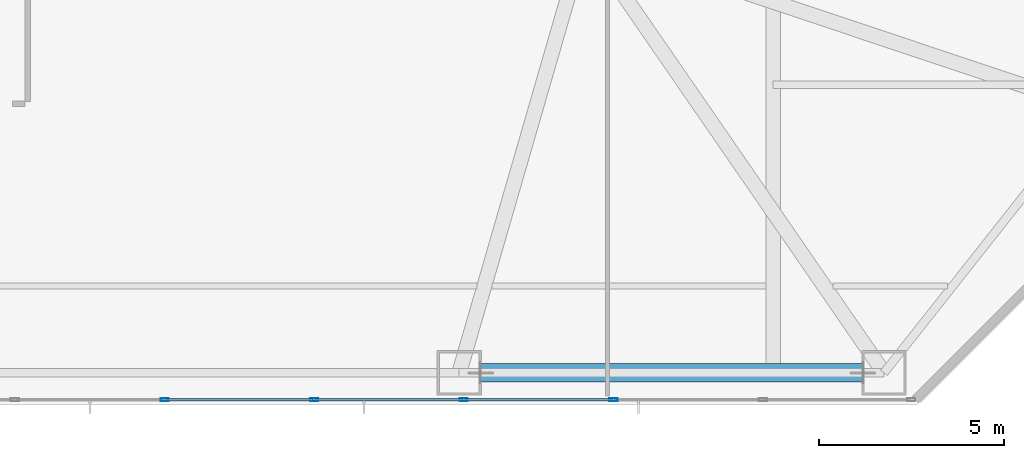
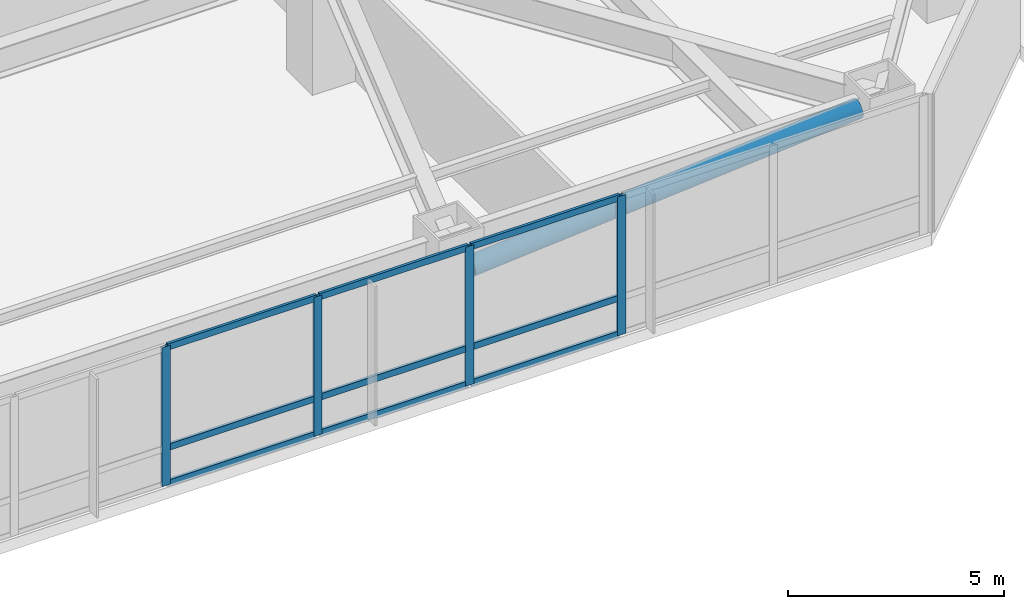
# One storey, part 6 of 32: 14 members, 1 element without a shape of its own.
"""IFC4 building model written with IfcOpenShell, lengths in metres."""

from ifc_helpers import new_model, si_unit, direction, frame, origin, origin_2d, place, context, subcontext, project, spatial, hollow_rectangle, hollow_circle, extrude, material, material_profile, profile_set, type_object, element, aggregate, save


model = new_model("IFC4")

# Units and contexts
model_context = context("Model", 3, precision=1e-05, world=origin(), true_north=direction((0.0, 1.0)))
body_context = subcontext(model_context, "Body", "Model", "MODEL_VIEW")
ifc_project = project(units=[si_unit("LENGTHUNIT", "METRE"), si_unit("AREAUNIT", "SQUARE_METRE"), si_unit("VOLUMEUNIT", "CUBIC_METRE"), si_unit("PLANEANGLEUNIT", "RADIAN"), si_unit("MASSUNIT", "GRAM", prefix="KILO")], contexts=[model_context])

# Site, building, storey
site_placement = place(None, origin())
site = spatial("IfcSite", under=ifc_project, at=site_placement, CompositionType="ELEMENT")
building_placement = place(site_placement, origin())
building = spatial("IfcBuilding", under=site, at=building_placement, Name="Khamvora Tower", CompositionType="ELEMENT")
storey_placement = place(building_placement, frame((0.0, 0.0, 12.0)))
storey = spatial("IfcBuildingStorey", under=building, at=storey_placement, Name="L02", CompositionType="ELEMENT", Elevation=12.0)

# Curtain wall, members
ifc_material_1 = material(Name="Anodised Aluminium 6063-T6", Category="aluminium")
curtain_wall_type = type_object("IfcCurtainWallType", Name="CW-SYS-01", PredefinedType="NOTDEFINED", material=ifc_material_1)
curtain_wall_placement = place(storey_placement, origin())
curtain_wall = element("IfcCurtainWall", 1, at=curtain_wall_placement, inside=storey, type_object=curtain_wall_type, Name="L02 stick curtain wall 14.1", PredefinedType="NOTDEFINED")
ifc_material_profile_1 = material_profile(ifc_material_1, hollow_rectangle(XDim=0.074951171875, YDim=0.219970703125, WallThickness=0.0048828125, at=origin_2d()), Name="MUL75x220x5")
ifc_profile_set_1 = profile_set([ifc_material_profile_1], Name="Anodised Aluminium 6063-T6")
member_type_1 = type_object("IfcMemberType", Name="CW-SYS-01-MUL", PredefinedType="MULLION", material=ifc_profile_set_1)
member_1_placement = place(storey_placement, frame((42.175048828125, 0.1201171875, 0.0), z_axis=(0.0, 0.0, 1.0), x_axis=(0.0, -1.0, 0.0)))
member_1 = element("IfcMember", 2, at=member_1_placement, type_object=member_type_1, Name="CW-01 mullion 3", PredefinedType="MULLION", context=body_context, shape_type="SweptSolid", body=[
    extrude(hollow_rectangle(XDim=0.074951171875, YDim=0.219970703125, WallThickness=0.0048828125, at=origin_2d()), origin(), (0.0, 0.0, 1.0), 3.919921875),
])
member_2_placement = place(storey_placement, frame((38.125, 0.1201171875, 0.0), z_axis=(0.0, 0.0, 1.0), x_axis=(0.0, -1.0, 0.0)))
member_2 = element("IfcMember", 3, at=member_2_placement, type_object=member_type_1, Name="CW-01 mullion 4", PredefinedType="MULLION", context=body_context, shape_type="SweptSolid", body=[
    extrude(hollow_rectangle(XDim=0.074951171875, YDim=0.219970703125, WallThickness=0.0048828125, at=origin_2d()), origin(), (0.0, 0.0, 1.0), 3.919921875),
])
member_3_placement = place(storey_placement, frame((34.074951171875, 0.1201171875, 0.0), z_axis=(0.0, 0.0, 1.0), x_axis=(0.0, -1.0, 0.0)))
member_3 = element("IfcMember", 4, at=member_3_placement, type_object=member_type_1, Name="CW-01 mullion 5", PredefinedType="MULLION", context=body_context, shape_type="SweptSolid", body=[
    extrude(hollow_rectangle(XDim=0.074951171875, YDim=0.219970703125, WallThickness=0.0048828125, at=origin_2d()), origin(), (0.0, 0.0, 1.0), 3.919921875),
])
member_4_placement = place(storey_placement, frame((30.02490234375, 0.1201171875, 0.0), z_axis=(0.0, 0.0, 1.0), x_axis=(0.0, -1.0, 0.0)))
member_4 = element("IfcMember", 5, at=member_4_placement, type_object=member_type_1, Name="CW-01 mullion 6", PredefinedType="MULLION", context=body_context, shape_type="SweptSolid", body=[
    extrude(hollow_rectangle(XDim=0.074951171875, YDim=0.219970703125, WallThickness=0.0048828125, at=origin_2d()), origin(), (0.0, 0.0, 1.0), 3.919921875),
])
ifc_material_profile_2 = material_profile(ifc_material_1, hollow_rectangle(XDim=0.074951171875, YDim=0.179931640625, WallThickness=0.0048828125, at=origin_2d()), Name="TRN75x180x5")
ifc_profile_set_2 = profile_set([ifc_material_profile_2], Name="Anodised Aluminium 6063-T6")
member_type_2 = type_object("IfcMemberType", Name="CW-SYS-01-TRN", PredefinedType="USERDEFINED", material=ifc_profile_set_2)
member_5_placement = place(storey_placement, frame((42.137451171875, 0.1201171875, 0.03759765625), z_axis=(-1.0, 0.0, 0.0), x_axis=(0.0, -1.0, 0.0)))
member_5 = element("IfcMember", 6, at=member_5_placement, type_object=member_type_2, Name="CW-01 transom 3.1", ObjectType="TRANSOM", PredefinedType="USERDEFINED", context=body_context, shape_type="SweptSolid", body=[
    extrude(hollow_rectangle(XDim=0.074951171875, YDim=0.179931640625, WallThickness=0.0048828125, at=origin_2d()), origin(), (0.0, 0.0, 1.0), 3.974853515625),
])
member_6_placement = place(storey_placement, frame((42.137451171875, 0.1201171875, 1.050048828125), z_axis=(-1.0, 0.0, 0.0), x_axis=(0.0, -1.0, 0.0)))
member_6 = element("IfcMember", 7, at=member_6_placement, type_object=member_type_2, Name="CW-01 transom 3.2", ObjectType="TRANSOM", PredefinedType="USERDEFINED", context=body_context, shape_type="SweptSolid", body=[
    extrude(hollow_rectangle(XDim=0.074951171875, YDim=0.179931640625, WallThickness=0.0048828125, at=origin_2d()), origin(), (0.0, 0.0, 1.0), 3.974853515625),
])
member_7_placement = place(storey_placement, frame((42.137451171875, 0.1201171875, 3.882568359375), z_axis=(-1.0, 0.0, 0.0), x_axis=(0.0, -1.0, 0.0)))
member_7 = element("IfcMember", 8, at=member_7_placement, type_object=member_type_2, Name="CW-01 transom 3.3", ObjectType="TRANSOM", PredefinedType="USERDEFINED", context=body_context, shape_type="SweptSolid", body=[
    extrude(hollow_rectangle(XDim=0.074951171875, YDim=0.179931640625, WallThickness=0.0048828125, at=origin_2d()), origin(), (0.0, 0.0, 1.0), 3.974853515625),
])
member_8_placement = place(storey_placement, frame((38.08740234375, 0.1201171875, 0.03759765625), z_axis=(-1.0, 0.0, 0.0), x_axis=(0.0, -1.0, 0.0)))
member_8 = element("IfcMember", 9, at=member_8_placement, type_object=member_type_2, Name="CW-01 transom 4.1", ObjectType="TRANSOM", PredefinedType="USERDEFINED", context=body_context, shape_type="SweptSolid", body=[
    extrude(hollow_rectangle(XDim=0.074951171875, YDim=0.179931640625, WallThickness=0.0048828125, at=origin_2d()), origin(), (0.0, 0.0, 1.0), 3.974853515625),
])
member_9_placement = place(storey_placement, frame((38.08740234375, 0.1201171875, 1.050048828125), z_axis=(-1.0, 0.0, 0.0), x_axis=(0.0, -1.0, 0.0)))
member_9 = element("IfcMember", 10, at=member_9_placement, type_object=member_type_2, Name="CW-01 transom 4.2", ObjectType="TRANSOM", PredefinedType="USERDEFINED", context=body_context, shape_type="SweptSolid", body=[
    extrude(hollow_rectangle(XDim=0.074951171875, YDim=0.179931640625, WallThickness=0.0048828125, at=origin_2d()), origin(), (0.0, 0.0, 1.0), 3.974853515625),
])
member_10_placement = place(storey_placement, frame((38.08740234375, 0.1201171875, 3.882568359375), z_axis=(-1.0, 0.0, 0.0), x_axis=(0.0, -1.0, 0.0)))
member_10 = element("IfcMember", 11, at=member_10_placement, type_object=member_type_2, Name="CW-01 transom 4.3", ObjectType="TRANSOM", PredefinedType="USERDEFINED", context=body_context, shape_type="SweptSolid", body=[
    extrude(hollow_rectangle(XDim=0.074951171875, YDim=0.179931640625, WallThickness=0.0048828125, at=origin_2d()), origin(), (0.0, 0.0, 1.0), 3.974853515625),
])
member_11_placement = place(storey_placement, frame((34.03759765625, 0.1201171875, 0.03759765625), z_axis=(-1.0, 0.0, 0.0), x_axis=(0.0, -1.0, 0.0)))
member_11 = element("IfcMember", 12, at=member_11_placement, type_object=member_type_2, Name="CW-01 transom 5.1", ObjectType="TRANSOM", PredefinedType="USERDEFINED", context=body_context, shape_type="SweptSolid", body=[
    extrude(hollow_rectangle(XDim=0.074951171875, YDim=0.179931640625, WallThickness=0.0048828125, at=origin_2d()), origin(), (0.0, 0.0, 1.0), 3.97509765625),
])
member_12_placement = place(storey_placement, frame((34.03759765625, 0.1201171875, 1.050048828125), z_axis=(-1.0, 0.0, 0.0), x_axis=(0.0, -1.0, 0.0)))
member_12 = element("IfcMember", 13, at=member_12_placement, type_object=member_type_2, Name="CW-01 transom 5.2", ObjectType="TRANSOM", PredefinedType="USERDEFINED", context=body_context, shape_type="SweptSolid", body=[
    extrude(hollow_rectangle(XDim=0.074951171875, YDim=0.179931640625, WallThickness=0.0048828125, at=origin_2d()), origin(), (0.0, 0.0, 1.0), 3.97509765625),
])
member_13_placement = place(storey_placement, frame((34.03759765625, 0.1201171875, 3.882568359375), z_axis=(-1.0, 0.0, 0.0), x_axis=(0.0, -1.0, 0.0)))
member_13 = element("IfcMember", 14, at=member_13_placement, type_object=member_type_2, Name="CW-01 transom 5.3", ObjectType="TRANSOM", PredefinedType="USERDEFINED", context=body_context, shape_type="SweptSolid", body=[
    extrude(hollow_rectangle(XDim=0.074951171875, YDim=0.179931640625, WallThickness=0.0048828125, at=origin_2d()), origin(), (0.0, 0.0, 1.0), 3.97509765625),
])
aggregate(curtain_wall, [member_1, member_2, member_3, member_4, member_5, member_6, member_7, member_8, member_9, member_10, member_11, member_12, member_13])

# Member
ifc_material_2 = material(Name="Steel S460", Category="steel")
ifc_material_profile_3 = material_profile(ifc_material_2, hollow_circle(Radius=0.25390625, WallThickness=0.02490234375, at=origin_2d()), Name="CHS508x25")
ifc_profile_set_3 = profile_set([ifc_material_profile_3], Name="Steel S460")
member_type_3 = type_object("IfcMemberType", Name="MEM-BR-CHS508", PredefinedType="BRACE", material=ifc_profile_set_3)
member_14_placement = place(storey_placement, frame((38.577880859375, 0.85009765625, 2.72705078125), z_axis=(0.996743065986, 0.0, 0.080642795143), x_axis=(0.0, 1.0, 0.0)))
element("IfcMember", 15, at=member_14_placement, inside=storey, type_object=member_type_3, Name="L02 perimeter wind brace 2", PredefinedType="BRACE", context=body_context, shape_type="SweptSolid", body=[
    extrude(hollow_circle(Radius=0.25390625, WallThickness=0.02490234375, at=origin_2d()), origin(), (0.0, 0.0, 1.0), 10.3779296875),
])

save(model, "model.ifc")
